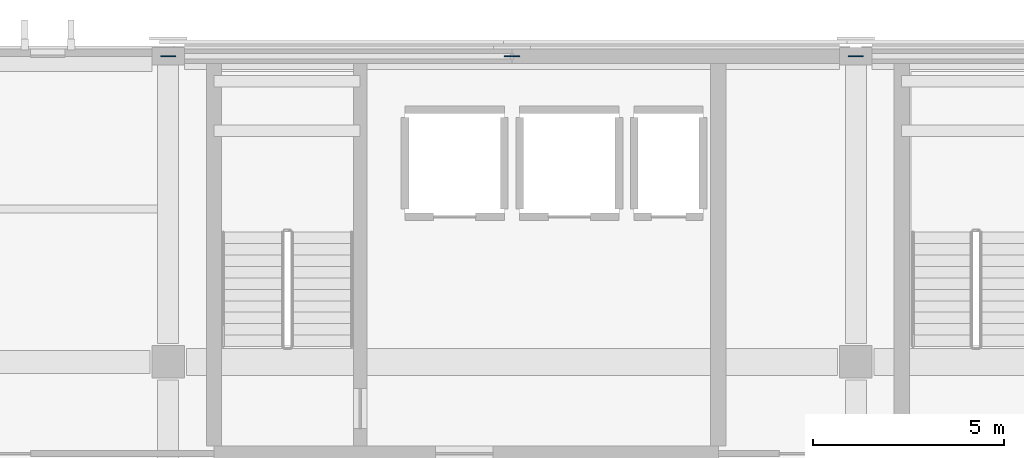
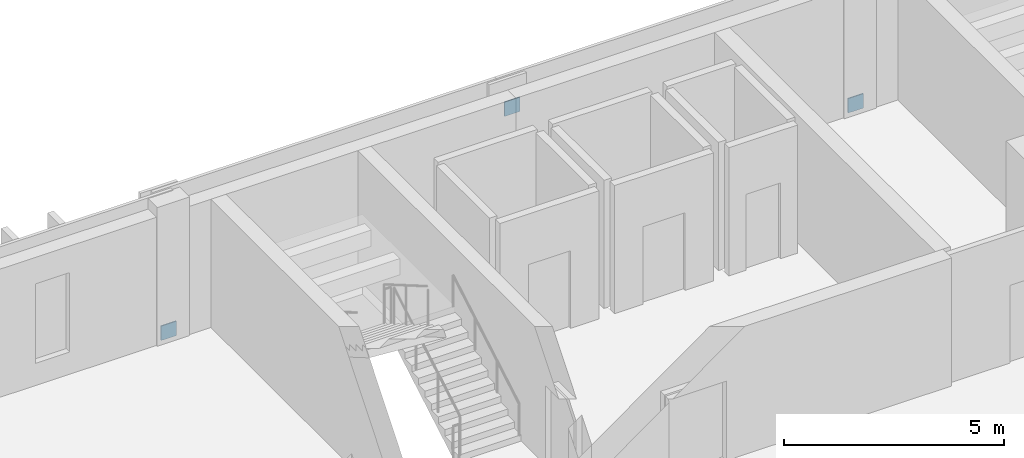
# One storey, part 51 of 85: 3 plates.
"""IFC4 building model written with IfcOpenShell, lengths in metres."""

from ifc_helpers import new_model, si_unit, direction, frame, origin, origin_2d, place, context, subcontext, project, spatial, rectangle, extrude, material, layer, layer_set, type_object, element, save


model = new_model("IFC4")

# Units and contexts
model_context = context("Model", 3, precision=1e-05, world=origin(), true_north=direction((0.0, 1.0)))
body_context = subcontext(model_context, "Body", "Model", "MODEL_VIEW")
ifc_project = project(units=[si_unit("LENGTHUNIT", "METRE"), si_unit("AREAUNIT", "SQUARE_METRE"), si_unit("VOLUMEUNIT", "CUBIC_METRE"), si_unit("PLANEANGLEUNIT", "RADIAN"), si_unit("MASSUNIT", "GRAM", prefix="KILO")], contexts=[model_context])

# Site, building, storey
site_placement = place(None, origin())
site = spatial("IfcSite", under=ifc_project, at=site_placement, CompositionType="ELEMENT")
building_placement = place(site_placement, origin())
building = spatial("IfcBuilding", under=site, at=building_placement, Name="Vervanel Yard Central Library", CompositionType="ELEMENT")
storey_placement = place(building_placement, frame((0.0, 0.0, 5.10009765625)))
storey = spatial("IfcBuildingStorey", under=building, at=storey_placement, Name="L01", CompositionType="ELEMENT", Elevation=5.10009765625)

# Plates
ifc_material = material(Name="Steel ASTM A572 Grade 50", Category="steel")
ifc_layer = layer(ifc_material, 0.028076171875, Category="steel")
ifc_layer_set = layer_set([ifc_layer], Name="Steel ASTM A572 Grade 50")
plate_type = type_object("IfcPlateType", Name="Brace End Cap Plate 28", PredefinedType="SHEET", material=ifc_layer_set)
for number, where, z_axis, x_axis, name in (
    (1, (45.0, 114.0, -0.050048828125), (0.0, 0.0, 1.0), (1.0, 0.0, 0.0), "L01 Lateral Brace End Cap 1-1"),
    (2, (54.0, 114.0, 3.0048828125), (0.0, 0.0, 1.0), (1.0, 0.0, 0.0), "L01 Lateral Brace End Cap 1-2"),
    (3, (63.0, 114.0, -0.050048828125), (0.0, 0.0, 1.0), (1.0, 0.0, 0.0), "L01 Lateral Brace End Cap 4-1"),
):
    element("IfcPlate", number, at=place(storey_placement, frame(where, z_axis=z_axis, x_axis=x_axis)), inside=storey, type_object=plate_type, Name=name, PredefinedType="SHEET", context=body_context, shape_type="SweptSolid", body=[
        extrude(rectangle(XDim=0.39990234375, YDim=0.028076171875, at=origin_2d()), origin(), (0.0, 0.0, 1.0), 0.39990234375),
    ])

save(model, "model.ifc")
